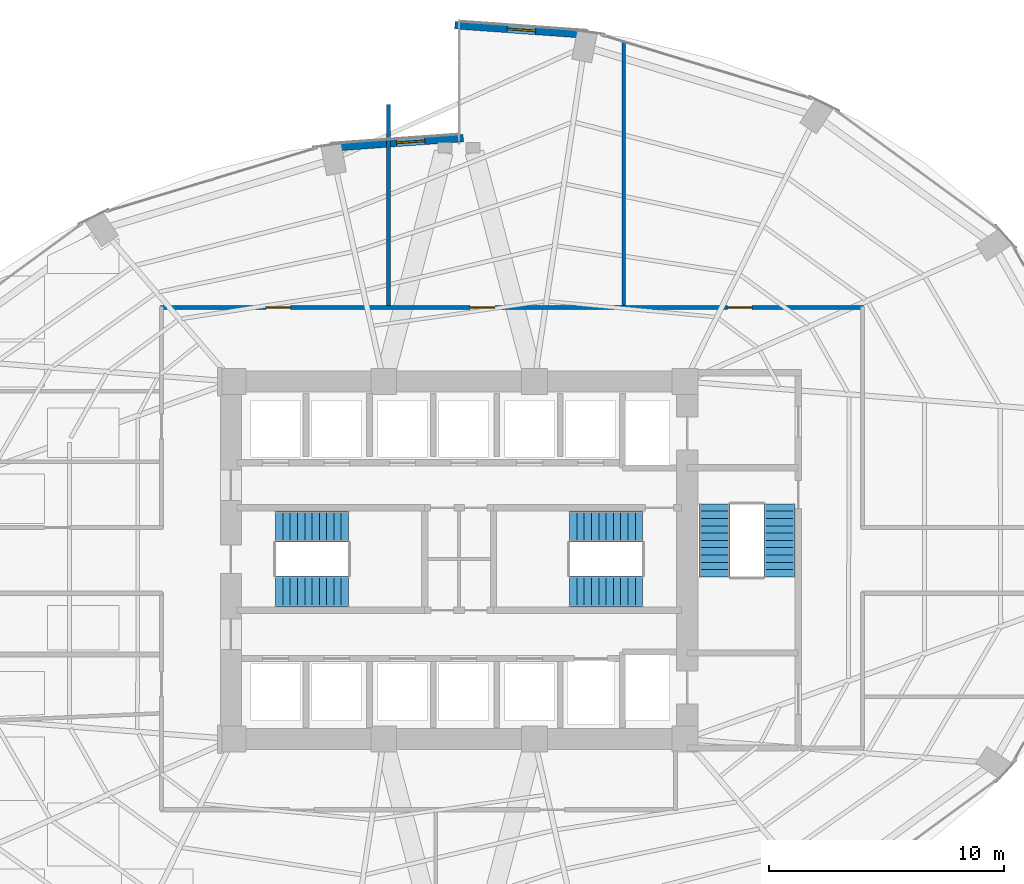
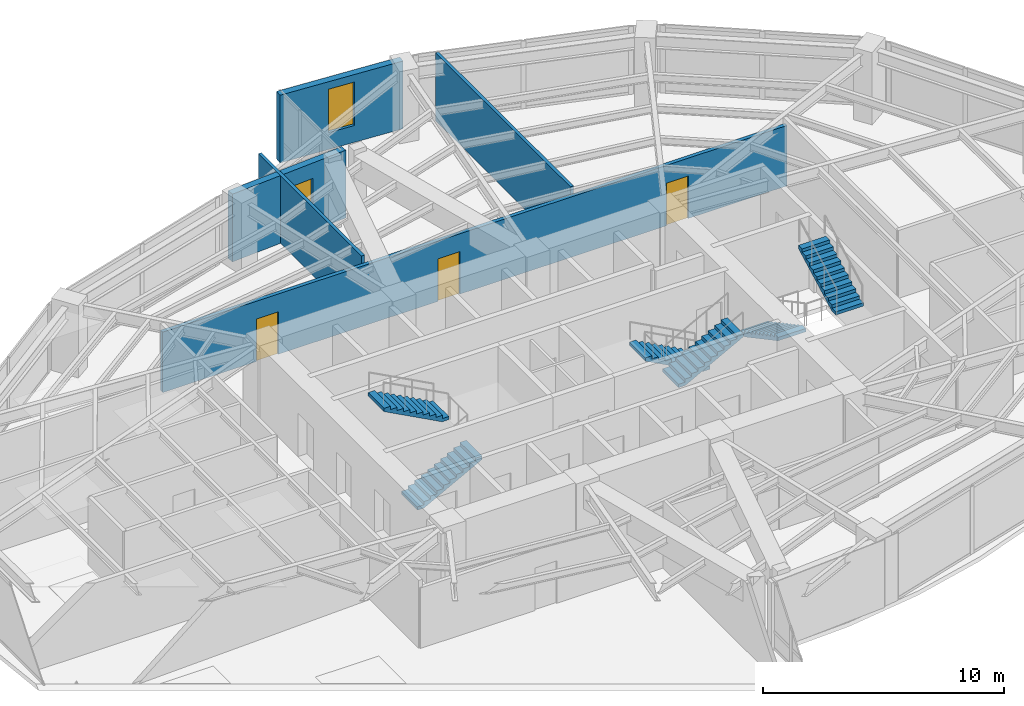
# One storey, part 23 of 25: 6 stair flights, 5 walls, 3 doors, 2 windows, 5 openings, 3 elements without a shape of their own.
"""IFC4 building model written with IfcOpenShell, lengths in metres."""

from ifc_helpers import new_model, si_unit, direction, frame, frame_2d, origin, place, context, subcontext, project, spatial, polyline, rectangle, outline, extrude, material, layer, layer_set, type_object, element, fill, aggregate, save


model = new_model("IFC4")

# Units and contexts
model_context = context("Model", 3, precision=1e-05, world=origin(), true_north=direction((0.0, 1.0)))
body_context = subcontext(model_context, "Body", "Model", "MODEL_VIEW")
ifc_project = project(units=[si_unit("LENGTHUNIT", "METRE"), si_unit("AREAUNIT", "SQUARE_METRE"), si_unit("VOLUMEUNIT", "CUBIC_METRE"), si_unit("PLANEANGLEUNIT", "RADIAN"), si_unit("MASSUNIT", "GRAM", prefix="KILO")], contexts=[model_context])

# Site, building, storey
site_placement = place(None, origin())
site = spatial("IfcSite", under=ifc_project, at=site_placement, CompositionType="ELEMENT")
building_placement = place(site_placement, origin())
building = spatial("IfcBuilding", under=site, at=building_placement, Name="Lazwardi Medical Tower", CompositionType="ELEMENT")
storey_placement = place(building_placement, frame((0.0, 0.0, 43.43994140625)))
storey = spatial("IfcBuildingStorey", under=building, at=storey_placement, Name="L10", CompositionType="ELEMENT", Elevation=43.43994140625)

# Wall, openings, doors
ifc_material_1 = material(Name="Fire-rated gypsum board on steel stud", Category="steel")
ifc_layer_1 = layer(ifc_material_1, 0.179931640625)
ifc_layer_set_1 = layer_set([ifc_layer_1], Name="Fire-rated gypsum board on steel stud")
wall_type_1 = type_object("IfcWallType", Name="WL-COR-180", PredefinedType="PARTITIONING", material=ifc_layer_set_1)
wall_1_placement = place(storey_placement, frame((23.31005859375, 38.75, 0.0), z_axis=(0.0, 0.0, 1.0), x_axis=(1.0, 0.0, 0.0)))
wall_1 = element("IfcWall", 1, at=wall_1_placement, inside=storey, type_object=wall_type_1, Name="L10 Corridor partition 4", PredefinedType="PARTITIONING", context=body_context, shape_type="SweptSolid", body=[
    extrude(rectangle(XDim=29.8798828125, YDim=0.179931640625, at=frame_2d((14.93994140625, 0.0))), origin(), (0.0, 0.0, 1.0), 3.052978515625),
])
opening_1_placement = place(wall_1_placement, frame((24.10107421875, 0.0, 0.0)))
opening_1 = element("IfcOpeningElement", 2, at=opening_1_placement, cuts=wall_1, Name="Opening D-L10-012", PredefinedType="OPENING", context=body_context, shape_type="SweptSolid", body=[
    extrude(rectangle(XDim=1.050048828125, YDim=2.14990234375, at=frame_2d((0.52490234375, 1.074951171875))), frame((0.0, 0.099853515625, 0.0), z_axis=(0.0, -1.0, 0.0), x_axis=(1.0, 0.0, 0.0)), (0.0, 0.0, 1.0), 0.199951171875),
])
opening_2_placement = place(wall_1_placement, frame((13.1650390625, 0.0, 0.0)))
opening_2 = element("IfcOpeningElement", 3, at=opening_2_placement, cuts=wall_1, Name="Opening D-L10-013", PredefinedType="OPENING", context=body_context, shape_type="SweptSolid", body=[
    extrude(rectangle(XDim=1.050048828125, YDim=2.14990234375, at=frame_2d((0.52490234375, 1.074951171875))), frame((0.0, 0.099853515625, 0.0), z_axis=(0.0, -1.0, 0.0), x_axis=(1.0, 0.0, 0.0)), (0.0, 0.0, 1.0), 0.199951171875),
])
opening_3_placement = place(wall_1_placement, frame((4.47900390625, 0.0, 0.0)))
opening_3 = element("IfcOpeningElement", 4, at=opening_3_placement, cuts=wall_1, Name="Opening D-L10-014", PredefinedType="OPENING", context=body_context, shape_type="SweptSolid", body=[
    extrude(rectangle(XDim=1.050048828125, YDim=2.14990234375, at=frame_2d((0.52490234375, 1.074951171875))), frame((0.0, 0.099853515625, 0.0), z_axis=(0.0, -1.0, 0.0), x_axis=(1.0, 0.0, 0.0)), (0.0, 0.0, 1.0), 0.199951171875),
])
ifc_material_2 = material(Name="Anti-microbial laminate hospital leaf")
door_type = type_object("IfcDoorType", Name="DR-CLN-1050", OperationType="NOTDEFINED", PredefinedType="DOOR", material=ifc_material_2)
door_1_placement = place(opening_1_placement, origin())
door_1 = element("IfcDoor", 5, at=door_1_placement, inside=storey, type_object=door_type, Name="L10 Ward Dietetic Pantry Door 04", OperationType="SINGLE_SWING_RIGHT", OverallHeight=2.14990234375, OverallWidth=1.050048828125, PredefinedType="DOOR", context=body_context, shape_type="SweptSolid", body=[
    extrude(rectangle(XDim=1.050048828125, YDim=2.14990234375, at=frame_2d((0.52490234375, 1.074951171875))), frame((0.0, 0.02490234375, 0.0), z_axis=(0.0, -1.0, 0.0), x_axis=(1.0, 0.0, 0.0)), (0.0, 0.0, 1.0), 0.050048828125),
])
fill(opening_1, door_1)
door_2_placement = place(opening_2_placement, origin())
door_2 = element("IfcDoor", 6, at=door_2_placement, inside=storey, type_object=door_type, Name="L10 Outpatient Clinic Door 05", OperationType="SINGLE_SWING_LEFT", OverallHeight=2.14990234375, OverallWidth=1.050048828125, PredefinedType="DOOR", context=body_context, shape_type="SweptSolid", body=[
    extrude(rectangle(XDim=1.050048828125, YDim=2.14990234375, at=frame_2d((0.52490234375, 1.074951171875))), frame((0.0, 0.02490234375, 0.0), z_axis=(0.0, -1.0, 0.0), x_axis=(1.0, 0.0, 0.0)), (0.0, 0.0, 1.0), 0.050048828125),
])
fill(opening_2, door_2)
door_3_placement = place(opening_3_placement, origin())
door_3 = element("IfcDoor", 7, at=door_3_placement, inside=storey, type_object=door_type, Name="L10 Outpatient Clinic Door 06", OperationType="SINGLE_SWING_RIGHT", OverallHeight=2.14990234375, OverallWidth=1.050048828125, PredefinedType="DOOR", context=body_context, shape_type="SweptSolid", body=[
    extrude(rectangle(XDim=1.050048828125, YDim=2.14990234375, at=frame_2d((0.52490234375, 1.074951171875))), frame((0.0, 0.02490234375, 0.0), z_axis=(0.0, -1.0, 0.0), x_axis=(1.0, 0.0, 0.0)), (0.0, 0.0, 1.0), 0.050048828125),
])
fill(opening_3, door_3)

# Wall, opening, window
ifc_material_3 = material(Name="Precast concrete C45/55", Category="concrete")
ifc_layer_2 = layer(ifc_material_3, 0.320068359375)
ifc_layer_set_2 = layer_set([ifc_layer_2], Name="Precast concrete C45/55")
wall_type_2 = type_object("IfcWallType", Name="WL-IWAN-320", PredefinedType="SOLIDWALL", material=ifc_layer_set_2)
wall_2_placement = place(storey_placement, frame((41.481201171875, 50.345703125, 0.0), z_axis=(0.0, 0.0, 1.0), x_axis=(-0.997422321809, 0.071754525696, 0.0)))
wall_2 = element("IfcWall", 8, at=wall_2_placement, inside=storey, type_object=wall_type_2, Name="L10 Iwan Portal Return Wall NE_ret", PredefinedType="SOLIDWALL", context=body_context, shape_type="SweptSolid", body=[
    extrude(rectangle(XDim=5.67529296875, YDim=0.320068359375, at=frame_2d((2.837646484375, 0.0))), origin(), (0.0, 0.0, 1.0), 3.427978515625),
])
opening_4_placement = place(wall_2_placement, frame((2.23779296875, 0.0, 0.85009765625)))
opening_4 = element("IfcOpeningElement", 9, at=opening_4_placement, cuts=wall_2, Name="Opening WN-01", PredefinedType="OPENING", context=body_context, shape_type="SweptSolid", body=[
    extrude(rectangle(XDim=1.199951171875, YDim=2.199951171875, at=frame_2d((0.60009765625, 1.10009765625))), frame((0.0, 0.169921875, 0.0), z_axis=(0.0, -1.0, 0.0), x_axis=(1.0, 0.0, 0.0)), (0.0, 0.0, 1.0), 0.340087890625),
])
ifc_material_4 = material(Name="Low-e bronze solar control double glazing", Category="glass")
window_type_1 = type_object("IfcWindowType", Name="WIN-IW-1200", PartitioningType="SINGLE_PANEL", PredefinedType="WINDOW", material=ifc_material_4)
window_1_placement = place(opening_4_placement, origin())
window_1 = element("IfcWindow", 10, at=window_1_placement, inside=storey, type_object=window_type_1, Name="L10 Iwan Slot Window NE_ret", OverallHeight=2.199951171875, OverallWidth=1.199951171875, PartitioningType="SINGLE_PANEL", PredefinedType="WINDOW", context=body_context, shape_type="SweptSolid", body=[
    extrude(rectangle(XDim=1.199951171875, YDim=2.199951171875, at=frame_2d((0.60009765625, 1.10009765625))), frame((0.0, 0.030029296875, 0.0), z_axis=(0.0, -1.0, 0.0), x_axis=(1.0, 0.0, 0.0)), (0.0, 0.0, 1.0), 0.06005859375),
])
fill(opening_4, window_1)

wall_3_placement = place(storey_placement, frame((36.178955078125, 45.952880859375, 0.0), z_axis=(0.0, 0.0, 1.0), x_axis=(-0.997421878774, -0.071760683825, 0.0)))
wall_3 = element("IfcWall", 11, at=wall_3_placement, inside=storey, type_object=wall_type_2, Name="L10 Iwan Portal Return Wall NW_ret", PredefinedType="SOLIDWALL", context=body_context, shape_type="SweptSolid", body=[
    extrude(rectangle(XDim=5.6748046875, YDim=0.320068359375, at=frame_2d((2.83740234375, 0.0))), origin(), (0.0, 0.0, 1.0), 3.427978515625),
])
opening_5_placement = place(wall_3_placement, frame((1.64599609375, 0.0, 0.85009765625)))
opening_5 = element("IfcOpeningElement", 12, at=opening_5_placement, cuts=wall_3, Name="Opening WN-04", PredefinedType="OPENING", context=body_context, shape_type="SweptSolid", body=[
    extrude(rectangle(XDim=1.199951171875, YDim=1.800048828125, at=frame_2d((0.60009765625, 0.89990234375))), frame((0.0, 0.169921875, 0.0), z_axis=(0.0, -1.0, 0.0), x_axis=(1.0, 0.0, 0.0)), (0.0, 0.0, 1.0), 0.340087890625),
])
window_type_2 = type_object("IfcWindowType", Name="WIN-DRUM-1200", PartitioningType="SINGLE_PANEL", PredefinedType="WINDOW", material=ifc_material_4)
window_2_placement = place(opening_5_placement, origin())
window_2 = element("IfcWindow", 13, at=window_2_placement, inside=storey, type_object=window_type_2, Name="L10 Iwan Slot Window NW_ret", OverallHeight=1.800048828125, OverallWidth=1.199951171875, PartitioningType="SINGLE_PANEL", PredefinedType="WINDOW", context=body_context, shape_type="SweptSolid", body=[
    extrude(rectangle(XDim=1.199951171875, YDim=1.800048828125, at=frame_2d((0.60009765625, 0.89990234375))), frame((0.0, 0.030029296875, 0.0), z_axis=(0.0, -1.0, 0.0), x_axis=(1.0, 0.0, 0.0)), (0.0, 0.0, 1.0), 0.06005859375),
])
fill(opening_5, window_2)

# Walls
ifc_material_5 = material(Name="Acoustic gypsum board partition")
ifc_layer_3 = layer(ifc_material_5, 0.14990234375)
ifc_layer_set_3 = layer_set([ifc_layer_3], Name="Acoustic gypsum board partition")
wall_type_3 = type_object("IfcWallType", Name="WL-WRD-150", PredefinedType="PARTITIONING", material=ifc_layer_set_3)
wall_4_placement = place(storey_placement, frame((33.0, 38.840087890625, 0.0), z_axis=(0.0, 0.0, 1.0), x_axis=(0.0, 1.0, 0.0)))
element("IfcWall", 14, at=wall_4_placement, inside=storey, type_object=wall_type_3, Name="L10 Room partition 6", PredefinedType="PARTITIONING", context=body_context, shape_type="SweptSolid", body=[
    extrude(rectangle(XDim=8.548828125, YDim=0.14990234375, at=frame_2d((4.2744140625, 0.0))), origin(), (0.0, 0.0, 1.0), 3.427978515625),
])
wall_5_placement = place(storey_placement, frame((43.0, 38.840087890625, 0.0), z_axis=(0.0, 0.0, 1.0), x_axis=(0.0, 1.0, 0.0)))
element("IfcWall", 15, at=wall_5_placement, inside=storey, type_object=wall_type_3, Name="L10 Room partition 7", PredefinedType="PARTITIONING", context=body_context, shape_type="SweptSolid", body=[
    extrude(rectangle(XDim=11.193115234375, YDim=0.14990234375, at=frame_2d((5.5966796875, 0.0))), origin(), (0.0, 0.0, 1.0), 3.427978515625),
])

# Stair, stair flights
ifc_material_6 = material(Name="Concrete C45/55", Category="concrete")
stair_type = type_object("IfcStairType", Name="STR-WRD", PredefinedType="HALF_TURN_STAIR", material=ifc_material_6)
stair_1_placement = place(storey_placement, origin())
stair_1 = element("IfcStair", 16, at=stair_1_placement, inside=storey, type_object=stair_type, Name="L10 Protected Exit Stair ST1", PredefinedType="HALF_TURN_STAIR")
stair_flight_type = type_object("IfcStairFlightType", Name="FLT-WRD", PredefinedType="STRAIGHT", material=ifc_material_6)
stair_flight_1_placement = place(storey_placement, frame((28.199951171875, 26.679931640625, 0.0), z_axis=(0.0, 0.0, 1.0), x_axis=(1.0, 0.0, 0.0)))
stair_flight_1 = element("IfcStairFlight", 17, at=stair_flight_1_placement, type_object=stair_flight_type, Name="ST1 flight 1", NumberOfRisers=11, NumberOfTreads=10, PredefinedType="STRAIGHT", RiserHeight=0.165818182, TreadLength=0.31, context=body_context, shape_type="SweptSolid", body=[
    extrude(outline(polyline([(0.0, 0.0), (0.0, 0.165771484375), (0.31005859375, 0.165771484375), (0.31005859375, 0.33154296875), (0.6201171875, 0.33154296875), (0.6201171875, 0.49755859375), (0.929931640625, 0.49755859375), (0.929931640625, 0.663330078125), (1.239990234375, 0.663330078125), (1.239990234375, 0.8291015625), (1.550048828125, 0.8291015625), (1.550048828125, 0.994873046875), (1.860107421875, 0.994873046875), (1.860107421875, 1.16064453125), (2.169921875, 1.16064453125), (2.169921875, 1.32666015625), (2.47998046875, 1.32666015625), (2.47998046875, 1.492431640625), (2.7900390625, 1.492431640625), (2.7900390625, 1.658203125), (3.10009765625, 1.658203125), (3.10009765625, 1.823974609375), (3.10009765625, 1.48828125), (0.31787109375, 0.0), (0.0, 0.0)])), frame((0.0, 0.66015625, 0.0), z_axis=(0.0, -1.0, 0.0), x_axis=(1.0, 0.0, 0.0)), (0.0, 0.0, 1.0), 1.320068359375),
])
stair_flight_2_placement = place(storey_placement, frame((31.300048828125, 29.43994140625, 1.823974609375), z_axis=(0.0, 0.0, 1.0), x_axis=(-1.0, 0.0, 0.0)))
stair_flight_2 = element("IfcStairFlight", 18, at=stair_flight_2_placement, type_object=stair_flight_type, Name="ST1 flight 2", NumberOfRisers=11, NumberOfTreads=10, PredefinedType="STRAIGHT", RiserHeight=0.165818182, TreadLength=0.31, context=body_context, shape_type="SweptSolid", body=[
    extrude(outline(polyline([(0.0, 0.0), (0.0, 0.165771484375), (0.31005859375, 0.165771484375), (0.31005859375, 0.33154296875), (0.6201171875, 0.33154296875), (0.6201171875, 0.49755859375), (0.929931640625, 0.49755859375), (0.929931640625, 0.663330078125), (1.239990234375, 0.663330078125), (1.239990234375, 0.8291015625), (1.550048828125, 0.8291015625), (1.550048828125, 0.994873046875), (1.860107421875, 0.994873046875), (1.860107421875, 1.16064453125), (2.169921875, 1.16064453125), (2.169921875, 1.32666015625), (2.47998046875, 1.32666015625), (2.47998046875, 1.492431640625), (2.7900390625, 1.492431640625), (2.7900390625, 1.658203125), (3.10009765625, 1.658203125), (3.10009765625, 1.823974609375), (3.10009765625, 1.48828125), (0.31787109375, 0.0), (0.0, 0.0)])), frame((0.0, 0.66015625, 0.0), z_axis=(0.0, -1.0, 0.0), x_axis=(1.0, 0.0, 0.0)), (0.0, 0.0, 1.0), 1.320068359375),
])
aggregate(stair_1, [stair_flight_1, stair_flight_2])

stair_2_placement = place(storey_placement, origin())
stair_2 = element("IfcStair", 19, at=stair_2_placement, inside=storey, type_object=stair_type, Name="L10 Protected Exit Stair ST2", PredefinedType="HALF_TURN_STAIR")
stair_flight_3_placement = place(storey_placement, frame((43.800048828125, 29.43994140625, 0.0), z_axis=(0.0, 0.0, 1.0), x_axis=(-1.0, 0.0, 0.0)))
stair_flight_3 = element("IfcStairFlight", 20, at=stair_flight_3_placement, type_object=stair_flight_type, Name="ST2 flight 1", NumberOfRisers=11, NumberOfTreads=10, PredefinedType="STRAIGHT", RiserHeight=0.165818182, TreadLength=0.31, context=body_context, shape_type="SweptSolid", body=[
    extrude(outline(polyline([(0.0, 0.0), (0.0, 0.165771484375), (0.31005859375, 0.165771484375), (0.31005859375, 0.33154296875), (0.6201171875, 0.33154296875), (0.6201171875, 0.49755859375), (0.929931640625, 0.49755859375), (0.929931640625, 0.663330078125), (1.239990234375, 0.663330078125), (1.239990234375, 0.8291015625), (1.550048828125, 0.8291015625), (1.550048828125, 0.994873046875), (1.860107421875, 0.994873046875), (1.860107421875, 1.16064453125), (2.169921875, 1.16064453125), (2.169921875, 1.32666015625), (2.47998046875, 1.32666015625), (2.47998046875, 1.492431640625), (2.7900390625, 1.492431640625), (2.7900390625, 1.658203125), (3.10009765625, 1.658203125), (3.10009765625, 1.823974609375), (3.10009765625, 1.48828125), (0.31787109375, 0.0), (0.0, 0.0)])), frame((0.0, 0.66015625, 0.0), z_axis=(0.0, -1.0, 0.0), x_axis=(1.0, 0.0, 0.0)), (0.0, 0.0, 1.0), 1.320068359375),
])
stair_flight_4_placement = place(storey_placement, frame((40.699951171875, 26.679931640625, 1.823974609375), z_axis=(0.0, 0.0, 1.0), x_axis=(1.0, 0.0, 0.0)))
stair_flight_4 = element("IfcStairFlight", 21, at=stair_flight_4_placement, type_object=stair_flight_type, Name="ST2 flight 2", NumberOfRisers=11, NumberOfTreads=10, PredefinedType="STRAIGHT", RiserHeight=0.165818182, TreadLength=0.31, context=body_context, shape_type="SweptSolid", body=[
    extrude(outline(polyline([(0.0, 0.0), (0.0, 0.165771484375), (0.31005859375, 0.165771484375), (0.31005859375, 0.33154296875), (0.6201171875, 0.33154296875), (0.6201171875, 0.49755859375), (0.929931640625, 0.49755859375), (0.929931640625, 0.663330078125), (1.239990234375, 0.663330078125), (1.239990234375, 0.8291015625), (1.550048828125, 0.8291015625), (1.550048828125, 0.994873046875), (1.860107421875, 0.994873046875), (1.860107421875, 1.16064453125), (2.169921875, 1.16064453125), (2.169921875, 1.32666015625), (2.47998046875, 1.32666015625), (2.47998046875, 1.492431640625), (2.7900390625, 1.492431640625), (2.7900390625, 1.658203125), (3.10009765625, 1.658203125), (3.10009765625, 1.823974609375), (3.10009765625, 1.48828125), (0.31787109375, 0.0), (0.0, 0.0)])), frame((0.0, 0.66015625, 0.0), z_axis=(0.0, -1.0, 0.0), x_axis=(1.0, 0.0, 0.0)), (0.0, 0.0, 1.0), 1.320068359375),
])
aggregate(stair_2, [stair_flight_3, stair_flight_4])

stair_3_placement = place(storey_placement, origin())
stair_3 = element("IfcStair", 22, at=stair_3_placement, inside=storey, type_object=stair_type, Name="L10 Protected Exit Stair ST3", PredefinedType="HALF_TURN_STAIR")
stair_flight_5_placement = place(storey_placement, frame((46.860107421875, 30.39990234375, 0.0), z_axis=(0.0, 0.0, 1.0), x_axis=(0.0, -1.0, 0.0)))
stair_flight_5 = element("IfcStairFlight", 23, at=stair_flight_5_placement, type_object=stair_flight_type, Name="ST3 flight 1", NumberOfRisers=11, NumberOfTreads=10, PredefinedType="STRAIGHT", RiserHeight=0.165818182, TreadLength=0.31, context=body_context, shape_type="SweptSolid", body=[
    extrude(outline(polyline([(0.0, 0.0), (0.0, 0.165771484375), (0.31005859375, 0.165771484375), (0.31005859375, 0.33154296875), (0.6201171875, 0.33154296875), (0.6201171875, 0.49755859375), (0.929931640625, 0.49755859375), (0.929931640625, 0.663330078125), (1.239990234375, 0.663330078125), (1.239990234375, 0.8291015625), (1.550048828125, 0.8291015625), (1.550048828125, 0.994873046875), (1.860107421875, 0.994873046875), (1.860107421875, 1.16064453125), (2.169921875, 1.16064453125), (2.169921875, 1.32666015625), (2.47998046875, 1.32666015625), (2.47998046875, 1.492431640625), (2.7900390625, 1.492431640625), (2.7900390625, 1.658203125), (3.10009765625, 1.658203125), (3.10009765625, 1.823974609375), (3.10009765625, 1.48828125), (0.31787109375, 0.0), (0.0, 0.0)])), frame((0.0, 0.66015625, 0.0), z_axis=(0.0, -1.0, 0.0), x_axis=(1.0, 0.0, 0.0)), (0.0, 0.0, 1.0), 1.320068359375),
])
stair_flight_6_placement = place(storey_placement, frame((49.6201171875, 27.300048828125, 1.823974609375), z_axis=(0.0, 0.0, 1.0), x_axis=(0.0, 1.0, 0.0)))
stair_flight_6 = element("IfcStairFlight", 24, at=stair_flight_6_placement, type_object=stair_flight_type, Name="ST3 flight 2", NumberOfRisers=11, NumberOfTreads=10, PredefinedType="STRAIGHT", RiserHeight=0.165818182, TreadLength=0.31, context=body_context, shape_type="SweptSolid", body=[
    extrude(outline(polyline([(0.0, 0.0), (0.0, 0.165771484375), (0.31005859375, 0.165771484375), (0.31005859375, 0.33154296875), (0.6201171875, 0.33154296875), (0.6201171875, 0.49755859375), (0.929931640625, 0.49755859375), (0.929931640625, 0.663330078125), (1.239990234375, 0.663330078125), (1.239990234375, 0.8291015625), (1.550048828125, 0.8291015625), (1.550048828125, 0.994873046875), (1.860107421875, 0.994873046875), (1.860107421875, 1.16064453125), (2.169921875, 1.16064453125), (2.169921875, 1.32666015625), (2.47998046875, 1.32666015625), (2.47998046875, 1.492431640625), (2.7900390625, 1.492431640625), (2.7900390625, 1.658203125), (3.10009765625, 1.658203125), (3.10009765625, 1.823974609375), (3.10009765625, 1.48828125), (0.31787109375, 0.0), (0.0, 0.0)])), frame((0.0, 0.66015625, 0.0), z_axis=(0.0, -1.0, 0.0), x_axis=(1.0, 0.0, 0.0)), (0.0, 0.0, 1.0), 1.320068359375),
])
aggregate(stair_3, [stair_flight_5, stair_flight_6])

save(model, "model.ifc")
